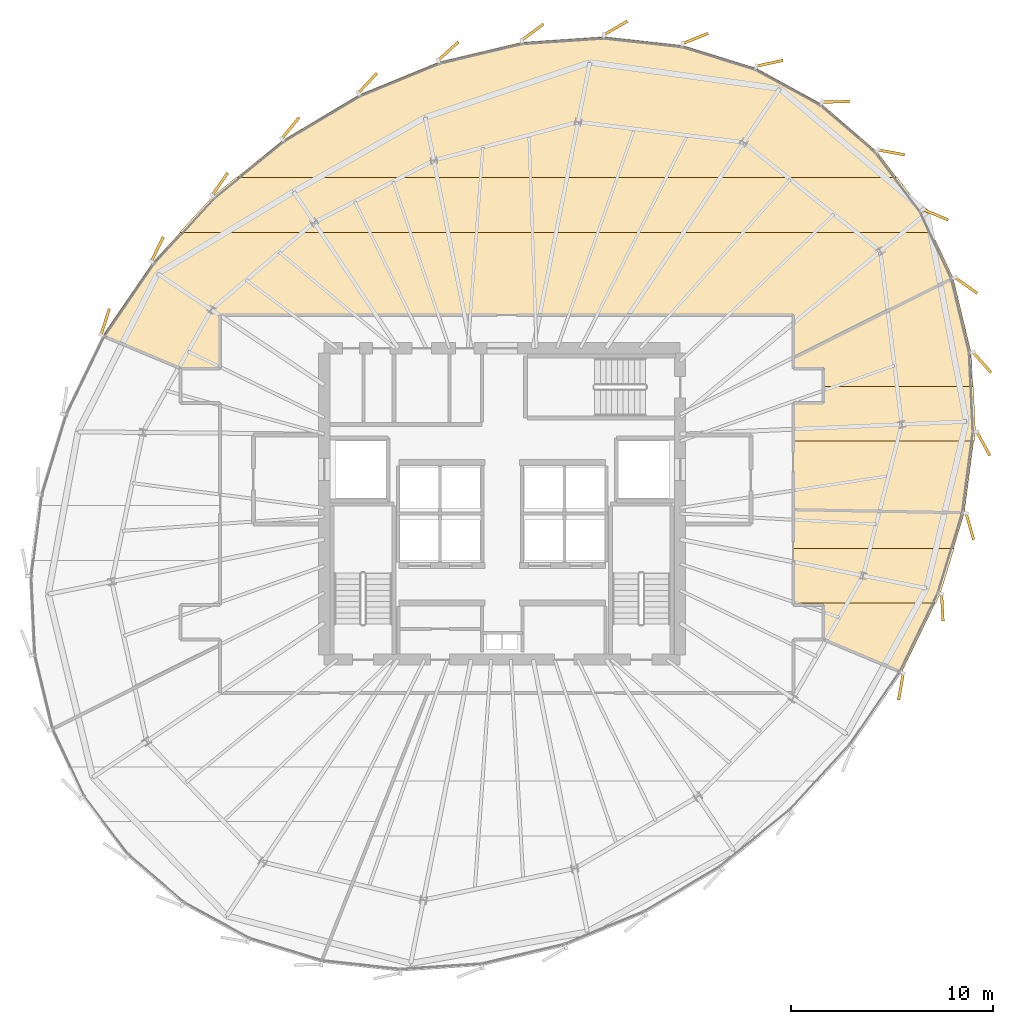
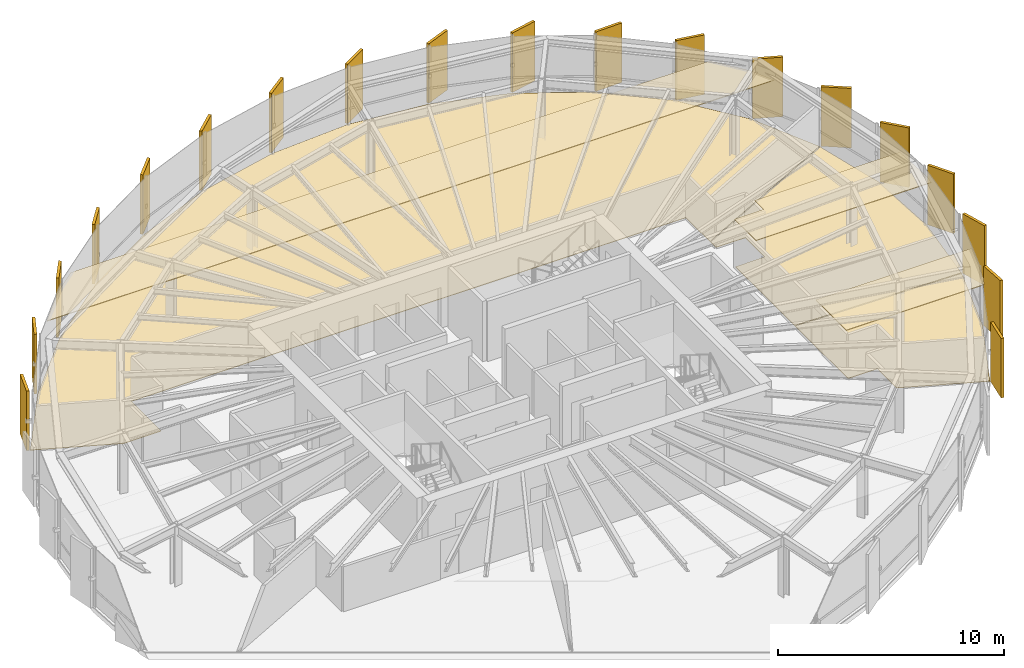
# One storey, part 34 of 34: 25 coverings.
"""IFC4 building model written with IfcOpenShell, lengths in metres."""

from ifc_helpers import new_model, si_unit, direction, frame, origin, origin_2d, place, context, subcontext, project, spatial, polyline, rectangle, outline, extrude, source, transform, mapped, material, layer, layer_set, type_object, element, save


model = new_model("IFC4")

# Units and contexts
model_context = context("Model", 3, precision=1e-05, world=origin(), true_north=direction((0.0, 1.0)))
body_context = subcontext(model_context, "Body", "Model", "MODEL_VIEW")
ifc_project = project(units=[si_unit("LENGTHUNIT", "METRE"), si_unit("AREAUNIT", "SQUARE_METRE"), si_unit("VOLUMEUNIT", "CUBIC_METRE"), si_unit("PLANEANGLEUNIT", "RADIAN"), si_unit("MASSUNIT", "GRAM", prefix="KILO"), si_unit("THERMODYNAMICTEMPERATUREUNIT", "KELVIN")], contexts=[model_context])

# Site, building, storey
site_placement = place(None, origin())
site = spatial("IfcSite", under=ifc_project, at=site_placement, CompositionType="ELEMENT")
building_placement = place(site_placement, origin())
building = spatial("IfcBuilding", under=site, at=building_placement, Name="Kethvar Cultural Tower", CompositionType="ELEMENT")
storey_placement = place(building_placement, frame((0.0, 0.0, 207.89990234375)))
storey = spatial("IfcBuildingStorey", under=building, at=storey_placement, Name="L54", CompositionType="ELEMENT", Elevation=207.89990234375)

# Coverings
ifc_material_1 = material(Name="Acoustic Mineral Fibre Ceiling")
ifc_layer_1 = layer(ifc_material_1, 0.0400390625, Name="Acoustic Mineral Fibre Ceiling")
ifc_layer_set_1 = layer_set([ifc_layer_1], Name="Acoustic Mineral Fibre Ceiling (40 mm)")
covering_type_1 = type_object("IfcCoveringType", Name="CV-ACOUSTIC-CEIL", PredefinedType="CEILING", material=ifc_layer_set_1)
covering_1_placement = place(storey_placement, frame((0.0, 0.0, 2.56005859375)))
element("IfcCovering", 1, at=covering_1_placement, inside=storey, type_object=covering_type_1, Name="L54 Room 03 Acoustic Ceiling Panel", PredefinedType="CEILING", context=body_context, shape_type="SweptSolid", body=[
    extrude(outline(polyline([(61.179931640625, 25.60693359375), (69.15673828125, 25.60693359375), (68.464111328125, 23.333984375), (68.25244140625, 22.89697265625), (61.179931640625, 22.89697265625), (61.179931640625, 25.60693359375)])), origin(), (0.0, 0.0, 1.0), 0.0400390625),
])
covering_2_placement = place(storey_placement, frame((0.0, 0.0, 2.56005859375)))
element("IfcCovering", 2, at=covering_2_placement, inside=storey, type_object=covering_type_1, Name="L54 Room 04 Acoustic Ceiling Panel", PredefinedType="CEILING", context=body_context, shape_type="SweptSolid", body=[
    extrude(outline(polyline([(70.21240234375, 31.370849609375), (70.15234375, 30.90869140625), (61.179931640625, 30.90869140625), (61.180419921875, 32.803955078125), (62.679931640625, 32.820068359375), (62.679931640625, 33.61865234375), (70.106689453125, 33.61865234375), (70.21240234375, 31.370849609375)])), origin(), (0.0, 0.0, 1.0), 0.0400390625),
])
covering_3_placement = place(storey_placement, frame((0.0, 0.0, 2.56005859375)))
element("IfcCovering", 3, at=covering_3_placement, inside=storey, type_object=covering_type_1, Name="L54 Room 05 Acoustic Ceiling Panel", PredefinedType="CEILING", context=body_context, shape_type="SweptSolid", body=[
    extrude(outline(polyline([(32.503173828125, 43.022705078125), (33.635498046875, 43.94287109375), (66.345458984375, 43.94287109375), (67.56787109375, 42.32666015625), (68.080322265625, 41.23291015625), (30.851806640625, 41.23291015625), (32.503173828125, 43.022705078125)])), origin(), (0.0, 0.0, 1.0), 0.0400390625),
])
ifc_material_2 = material(Name="Architectural Oak Timber", Category="wood")
ifc_layer_2 = layer(ifc_material_2, 0.02490234375, Name="Architectural Oak Timber", Category="wood")
ifc_layer_set_2 = layer_set([ifc_layer_2], Name="Architectural Oak Timber (25 mm)")
covering_type_2 = type_object("IfcCoveringType", Name="CV-OAK-FLOOR", PredefinedType="FLOORING", material=ifc_layer_set_2)
covering_4_placement = place(storey_placement, origin())
element("IfcCovering", 4, at=covering_4_placement, inside=storey, type_object=covering_type_2, Name="L54 Room 03 Floor Finish", PredefinedType="FLOORING", context=body_context, shape_type="SweptSolid", body=[
    extrude(outline(polyline([(62.719970703125, 21.110107421875), (62.715576171875, 22.812744140625), (61.219970703125, 22.820068359375), (61.219970703125, 27.494873046875), (69.639404296875, 27.328369140625), (68.42626953125, 23.346923828125), (66.556396484375, 19.49267578125), (62.719970703125, 21.110107421875)])), origin(), (0.0, 0.0, 1.0), 0.025146484375),
])
covering_5_placement = place(storey_placement, origin())
element("IfcCovering", 5, at=covering_5_placement, inside=storey, type_object=covering_type_2, Name="L54 Room 04 Floor Finish", PredefinedType="FLOORING", context=body_context, shape_type="SweptSolid", body=[
    extrude(outline(polyline([(69.98828125, 35.28076171875), (70.17236328125, 31.37060546875), (69.648681640625, 27.368408203125), (61.219970703125, 27.534912109375), (61.219970703125, 32.780029296875), (62.719970703125, 32.800048828125), (62.716552734375, 34.510986328125), (61.219970703125, 34.52001953125), (61.219970703125, 34.994140625), (69.10498046875, 38.9404296875), (69.98828125, 35.28076171875)])), origin(), (0.0, 0.0, 1.0), 0.025146484375),
])
covering_6_placement = place(storey_placement, origin())
element("IfcCovering", 6, at=covering_6_placement, inside=storey, type_object=covering_type_2, Name="L54 Room 05 Floor Finish", PredefinedType="FLOORING", context=body_context, shape_type="SweptSolid", body=[
    extrude(outline(polyline([(69.09228515625, 38.978759765625), (61.219970703125, 35.0390625), (61.199951171875, 37.169921875), (32.847900390625, 37.169921875), (32.830078125, 34.52001953125), (30.91162109375, 34.52001953125), (27.064208984375, 36.14208984375), (29.52880859375, 39.739990234375), (32.531494140625, 42.994384765625), (35.968017578125, 45.786865234375), (39.7333984375, 48.03271484375), (43.713623046875, 49.663330078125), (47.78759765625, 50.629638671875), (51.831298828125, 50.902099609375), (55.721923828125, 50.47265625), (59.34130859375, 49.354736328125), (62.579345703125, 47.581787109375), (65.337890625, 45.208251953125), (67.53369140625, 42.305908203125), (69.09228515625, 38.978759765625)])), origin(), (0.0, 0.0, 1.0), 0.025146484375),
])
ifc_material_3 = material(Name="Extruded Architectural Terracotta", Category="masonry")
ifc_layer_3 = layer(ifc_material_3, 0.135009765625, Name="Extruded Architectural Terracotta", Category="masonry")
ifc_layer_set_3 = layer_set([ifc_layer_3], Name="Extruded Architectural Terracotta (135 mm)")
covering_type_3 = type_object("IfcCoveringType", Name="Terracotta Facade Fin FIN-03", PredefinedType="CLADDING", material=ifc_layer_set_3)
shared_shape = source(origin(), body_context, "Body", "SweptSolid", [
    extrude(rectangle(XDim=1.35009765625, YDim=0.135009765625, at=origin_2d()), origin(), (0.0, 0.0, 1.0), 3.219970703125),
])
for number, where, z_axis, x_axis, name in (
    (7, (66.03955078125, 45.188720703125, 0.02001953125), (0.0, 0.0, 1.0), (0.984164685862, -0.17725651216, 0.0), "L54 Vertical Terracotta Fin 1.1"),
    (8, (63.303955078125, 47.686767578125, 0.02001953125), (0.0, 0.0, 1.0), (0.999638806409, 0.026874834341, 0.0), "L54 Vertical Terracotta Fin 1.2"),
    (9, (60.0322265625, 49.593017578125, 0.02001953125), (0.0, 0.0, 1.0), (0.977194059589, 0.212348227928, 0.0), "L54 Vertical Terracotta Fin 1.3"),
    (10, (56.36181640625, 50.822021484375, 0.02001953125), (0.0, 0.0, 1.0), (0.928809552872, 0.37055743751, 0.0), "L54 Vertical Terracotta Fin 1.4"),
    (11, (52.41162109375, 51.338134765625, 0.02001953125), (0.0, 0.0, 1.0), (0.867070701164, 0.498185105339, 0.0), "L54 Vertical Terracotta Fin 1.5"),
    (12, (48.3076171875, 51.13037109375, 0.02001953125), (0.0, 0.0, 1.0), (0.802088450119, 0.597205256328, 0.0), "L54 Vertical Terracotta Fin 1.6"),
    (13, (44.14111328125, 50.195068359375, 0.02001953125), (0.0, 0.0, 1.0), (0.740804596287, 0.671720589323, 0.0), "L54 Vertical Terracotta Fin 2.1"),
    (14, (40.1455078125, 48.611328125, 0.02001953125), (0.0, 0.0, 1.0), (0.684419866476, 0.729088092327, 0.0), "L54 Vertical Terracotta Fin 2.2"),
    (15, (36.33203125, 46.388916015625, 0.02001953125), (0.0, 0.0, 1.0), (0.631217436293, 0.77560592321, 0.0), "L54 Vertical Terracotta Fin 2.3"),
    (16, (32.843017578125, 43.618408203125, 0.02001953125), (0.0, 0.0, 1.0), (0.569136023557, 0.822243386529, 0.0), "L54 Vertical Terracotta Fin 2.4"),
    (17, (29.747314453125, 40.40234375, 0.02001953125), (0.0, 0.0, 1.0), (0.444791503606, 0.895634143119, 0.0), "L54 Vertical Terracotta Fin 2.5"),
    (18, (27.169189453125, 36.810302734375, 0.02001953125), (0.0, 0.0, 1.0), (0.307024429971, 0.951701633602, 0.0), "L54 Vertical Terracotta Fin 2.6"),
    (19, (66.522216796875, 18.76708984375, 0.02001953125), (0.0, 0.0, 1.0), (-0.171929100279, -0.985109326155, 0.0), "L54 Vertical Terracotta Fin 5.6"),
    (20, (68.568359375, 22.6796875, 0.02001953125), (0.0, 0.0, 1.0), (0.052684540515, -0.99861120522, 0.0), "L54 Vertical Terracotta Fin 6.1"),
    (21, (69.929931640625, 26.688232421875, 0.02001953125), (0.0, 0.0, 1.0), (0.273287729889, -0.961932334778, 0.0), "L54 Vertical Terracotta Fin 6.2"),
    (22, (70.5966796875, 30.781494140625, 0.02001953125), (0.0, 0.0, 1.0), (0.480376581014, -0.877062335535, 0.0), "L54 Vertical Terracotta Fin 6.3"),
    (23, (70.533935546875, 34.797607421875, 0.02001953125), (0.0, 0.0, 1.0), (0.663926212652, -0.747798090499, 0.0), "L54 Vertical Terracotta Fin 6.4"),
    (24, (69.74072265625, 38.61181640625, 0.02001953125), (0.0, 0.0, 1.0), (0.814318172325, -0.580418740413, 0.0), "L54 Vertical Terracotta Fin 6.5"),
    (25, (68.237548828125, 42.1044921875, 0.02001953125), (0.0, 0.0, 1.0), (0.922807277859, -0.385261895248, 0.0), "L54 Vertical Terracotta Fin 6.6"),
):
    element("IfcCovering", number, at=place(storey_placement, frame(where, z_axis=z_axis, x_axis=x_axis)), inside=storey, type_object=covering_type_3, Name=name, PredefinedType="CLADDING", context=body_context, shape_type="MappedRepresentation", body=[
        mapped(shared_shape, transform((0.0, 0.0, 0.0), scale=1.0)),
    ])

save(model, "model.ifc")
